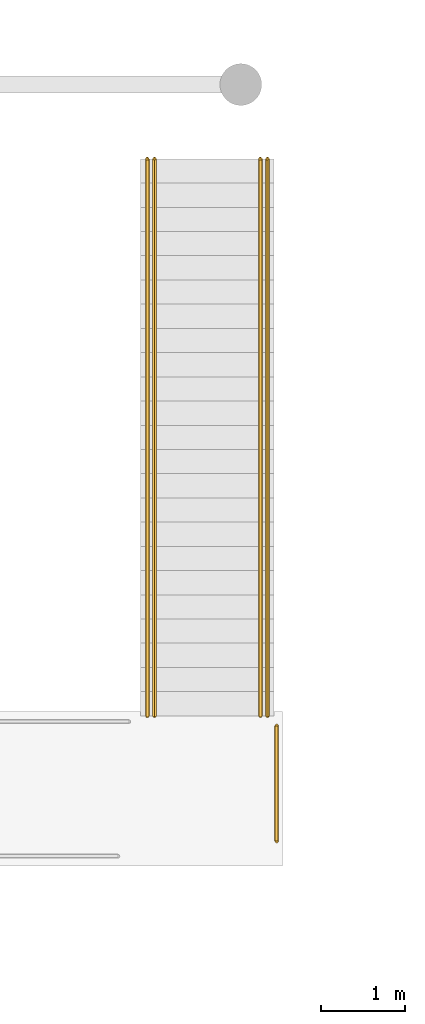
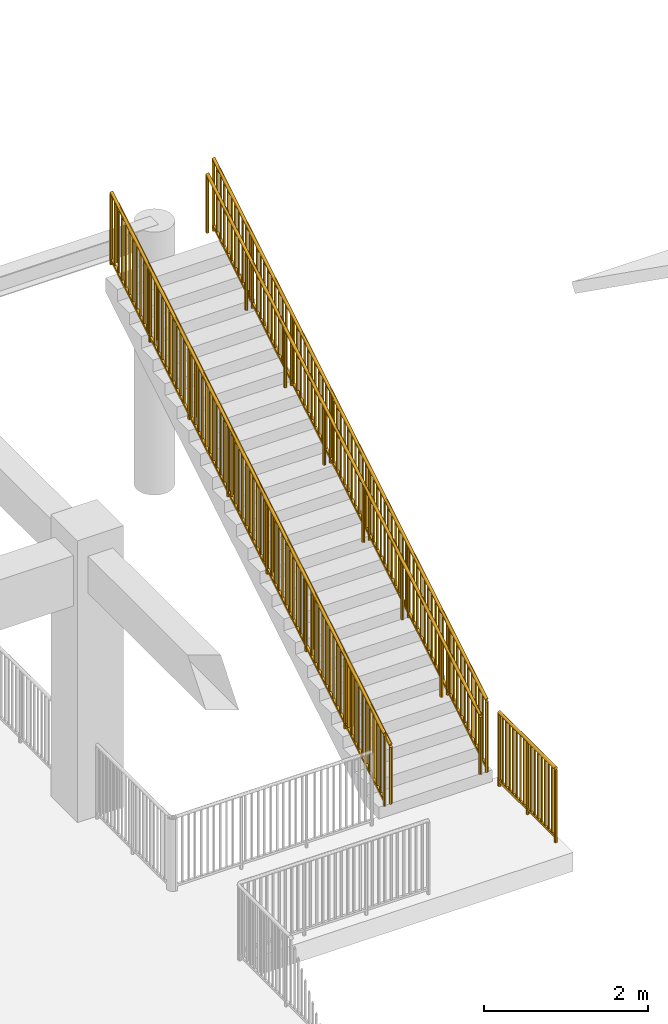
# One storey, part 60 of 63: 5 railings.
"""IFC4 building model written with IfcOpenShell, lengths in metres."""

import ifcopenshell
import ifcopenshell.guid

model = None  # the IFC model being written
_history = None  # IfcOwnerHistory: only IFC2X3 demands one
_inside = {}  # id of a spatial element -> (the spatial element, [elements in it])
_under = {}  # id of a project, library or spatial element -> (it, [spatial elements below it])
_declared = {}  # id of a project -> (the project, [libraries it declares])
_typed = {}  # id of a type object -> (the type object, [elements of that type])
_made_of = {}  # id of a material, layer set ... -> (it, [elements and type objects made of it])


def new_model(schema):
    """Start an empty IFC model of exactly this schema.

    Asked for "IFC4X3", IfcOpenShell would pick the latest addendum, in which some entities
    have other attributes; the version numbers below select the first issue.
    IFC2X3 requires an IfcOwnerHistory on every rooted entity: one is made here for all.
    """
    global model, _history
    if schema == "IFC4X3":
        model = ifcopenshell.file(schema_version=(4, 3, 0, 0))
    else:
        model = ifcopenshell.file(schema=schema)
    _inside.clear()
    _under.clear()
    _declared.clear()
    _typed.clear()
    _made_of.clear()
    _history = None
    if model.schema == "IFC2X3":
        org = make("IfcOrganization", Name="unknown")
        user = make(
            "IfcPersonAndOrganization",
            ThePerson=make("IfcPerson", FamilyName="unknown"),
            TheOrganization=org,
        )
        app = make(
            "IfcApplication",
            ApplicationDeveloper=org,
            Version="unknown",
            ApplicationFullName="unknown",
            ApplicationIdentifier="unknown",
        )
        _history = make(
            "IfcOwnerHistory",
            OwningUser=user,
            OwningApplication=app,
            ChangeAction="ADDED",
            CreationDate=0,
        )
    return model


def make(cls, **values):
    """One entity of the class cls with the attributes given. An attribute that is None is left unset."""
    return model.create_entity(
        cls, **{name: value for name, value in values.items() if value is not None}
    )


def rooted(cls, **values):
    """An entity with a GlobalId (a new one), such as an element, a storey or a relation."""
    return make(cls, GlobalId=ifcopenshell.guid.new(), OwnerHistory=_history, **values)


def si_unit(unit_type, name, prefix=None):
    """IfcSIUnit, for example si_unit("LENGTHUNIT", "METRE", prefix="MILLI")."""
    return make("IfcSIUnit", UnitType=unit_type, Prefix=prefix, Name=name)


def assignment(units):
    """IfcUnitAssignment: the units of a project."""
    return None if units is None else make("IfcUnitAssignment", Units=units)


def point(xyz):
    """IfcCartesianPoint."""
    return None if xyz is None else make("IfcCartesianPoint", Coordinates=xyz)


def direction(xyz):
    """IfcDirection."""
    return None if xyz is None else make("IfcDirection", DirectionRatios=xyz)


def frame(location, z_axis=None, x_axis=None):
    """IfcAxis2Placement3D, a coordinate frame: its origin and axes. An axis left out is left unset."""
    return make(
        "IfcAxis2Placement3D",
        Location=point(location),
        Axis=direction(z_axis),
        RefDirection=direction(x_axis),
    )


def frame_2d(location, x_axis=None):
    """IfcAxis2Placement2D, a coordinate frame in the plane: its origin and x axis."""
    return make(
        "IfcAxis2Placement2D", Location=point(location), RefDirection=direction(x_axis)
    )


def origin():
    """The frame at (0, 0, 0) with its axes left unset."""
    return frame((0.0, 0.0, 0.0))


def origin_2d():
    """The frame at (0, 0) in the plane with its x axis left unset."""
    return frame_2d((0.0, 0.0))


def place(relative_to, where):
    """IfcLocalPlacement: puts the frame where relative to a parent placement (None: the world)."""
    return make(
        "IfcLocalPlacement", PlacementRelTo=relative_to, RelativePlacement=where
    )


def context(
    kind, dimensions, precision=None, world=None, true_north=None, identifier=None
):
    """IfcGeometricRepresentationContext, for example the 3D "Model" context."""
    return make(
        "IfcGeometricRepresentationContext",
        ContextIdentifier=identifier,
        ContextType=kind,
        CoordinateSpaceDimension=dimensions,
        Precision=precision,
        WorldCoordinateSystem=world,
        TrueNorth=true_north,
    )


def subcontext(parent, identifier, kind, view, scale=None):
    """IfcGeometricRepresentationSubContext, for example "Body" below "Model"."""
    return make(
        "IfcGeometricRepresentationSubContext",
        ContextIdentifier=identifier,
        ContextType=kind,
        ParentContext=parent,
        TargetScale=scale,
        TargetView=view,
    )


def project(units=None, contexts=None):
    """IfcProject with its units and contexts."""
    return rooted(
        "IfcProject",
        Name="project",
        RepresentationContexts=contexts,
        UnitsInContext=assignment(units),
    )


def spatial(cls, under=None, at=None, **own):
    """A site, building, storey or space (cls), placed at a placement, below another one or the project."""
    s = rooted(cls, ObjectPlacement=at, **own)
    if under is not None:
        _under.setdefault(under.id(), (under, []))[1].append(s)
    return s


def profile(cls, at=None, kind="AREA", **sizes):
    """A parametric profile (cls). Its sizes go by their IFC names, for example OverallWidth=200.0."""
    return make(cls, ProfileType=kind, Position=at, **sizes)


def rectangle(**sizes):
    """IfcRectangleProfileDef."""
    return profile("IfcRectangleProfileDef", **sizes)


def circle(**sizes):
    """IfcCircleProfileDef."""
    return profile("IfcCircleProfileDef", **sizes)


def extrude(swept, where, along, depth):
    """IfcExtrudedAreaSolid: the profile swept, set in the frame where, extruded along a direction by depth."""
    return make(
        "IfcExtrudedAreaSolid",
        SweptArea=swept,
        Position=where,
        ExtrudedDirection=direction(along),
        Depth=depth,
    )


def shape(context_of_items, identifier, shape_type, items):
    """IfcShapeRepresentation: the items that make up one representation, for example the "Body"."""
    return make(
        "IfcShapeRepresentation",
        ContextOfItems=context_of_items,
        RepresentationIdentifier=identifier,
        RepresentationType=shape_type,
        Items=items,
    )


def material(Name=None, Category=None):
    """IfcMaterial."""
    return make("IfcMaterial", Name=Name, Category=Category)


def made_of(thing, what):
    """Note that an element or type object is made of a material, layer set ...; save() writes the relation."""
    if what is not None:
        _made_of.setdefault(what.id(), (what, []))[1].append(thing)
    return thing


def type_object(cls, material=None, **own):
    """A type object (cls), such as IfcWallType, which elements share."""
    return made_of(rooted(cls, **own), material)


def element(
    cls,
    number,
    at=None,
    inside=None,
    cuts=None,
    type_object=None,
    material=None,
    context=None,
    identifier="Body",
    shape_type=None,
    held_by="IfcProductDefinitionShape",
    body=None,
    shapes=None,
    **own,
):
    """One element of the class cls, such as IfcWall. Its Tag is "e" and its number.

    at: its placement. inside: the storey or other place that contains it. cuts: it is an
    opening in that element (IfcRelVoidsElement). A single representation is given by context,
    identifier, shape_type and body (its items); several are given by shapes. held_by: the class
    of the entity that holds the representations. save() writes the other relations.
    """
    e = rooted(cls, Tag="e%d" % number, ObjectPlacement=at, **own)
    if body is not None:
        shapes = [shape(context, identifier, shape_type, body)]
    if shapes is not None:
        e.Representation = make(held_by, Representations=shapes)
    if inside is not None:
        _inside.setdefault(inside.id(), (inside, []))[1].append(e)
    if cuts is not None:
        rooted(
            "IfcRelVoidsElement", RelatingBuildingElement=cuts, RelatedOpeningElement=e
        )
    if type_object is not None:
        _typed.setdefault(type_object.id(), (type_object, []))[1].append(e)
    return made_of(e, material)


def aggregate(whole, parts):
    """IfcRelAggregates: a whole, such as a stair, and the parts it consists of."""
    return rooted("IfcRelAggregates", RelatingObject=whole, RelatedObjects=parts)


def save(model, path):
    """Write the relations noted so far, then the file.

    IfcRelAggregates (storeys below a building ...), IfcRelContainedInSpatialStructure (elements
    in a storey), IfcRelDefinesByType, IfcRelAssociatesMaterial and IfcRelDeclares: one each for
    every whole, place, type object, material and project.
    """
    for whole, parts in _under.values():
        aggregate(whole, parts)
    for where, things in _inside.values():
        rooted(
            "IfcRelContainedInSpatialStructure",
            RelatedElements=things,
            RelatingStructure=where,
        )
    for kind, things in _typed.values():
        rooted("IfcRelDefinesByType", RelatedObjects=things, RelatingType=kind)
    for what, things in _made_of.values():
        rooted("IfcRelAssociatesMaterial", RelatedObjects=things, RelatingMaterial=what)
    for by, libraries in _declared.values():
        rooted("IfcRelDeclares", RelatingContext=by, RelatedDefinitions=libraries)
    model.write(path)


model = new_model("IFC4")

# Units and contexts
model_context = context("Model", 3, precision=1e-05, world=origin(), true_north=direction((0.0, 1.0)))
body_context = subcontext(model_context, "Body", "Model", "MODEL_VIEW")
ifc_project = project(units=[si_unit("LENGTHUNIT", "METRE"), si_unit("AREAUNIT", "SQUARE_METRE"), si_unit("VOLUMEUNIT", "CUBIC_METRE"), si_unit("PLANEANGLEUNIT", "RADIAN"), si_unit("MASSUNIT", "GRAM", prefix="KILO")], contexts=[model_context])

# Site, building, storey
site_placement = place(None, origin())
site = spatial("IfcSite", under=ifc_project, at=site_placement, CompositionType="ELEMENT")
building_placement = place(site_placement, origin())
building = spatial("IfcBuilding", under=site, at=building_placement, Name="Zantavel Square City Hall", CompositionType="ELEMENT")
storey_placement = place(building_placement, frame((0.0, 0.0, 14.699951171875)))
storey = spatial("IfcBuildingStorey", under=building, at=storey_placement, Name="L04", CompositionType="ELEMENT", Elevation=14.699951171875)

# Railings
ifc_material_1 = material(Name="Steel ASTM A500 Grade B", Category="steel")
railing_type_1 = type_object("IfcRailingType", Name="Classical Stone & Steel Terrace Balustrade 1100mm", PredefinedType="BALUSTRADE", material=ifc_material_1)
railing_1_placement = place(storey_placement, frame((114.97998046875, 51.10009765625, 0.175048828125)))
element("IfcRailing", 1, at=railing_1_placement, inside=storey, type_object=railing_type_1, Name="Outdoor Stair ST-TR2 Balustered Guard L", PredefinedType="BALUSTRADE", context=body_context, shape_type="SweptSolid", body=[
    extrude(circle(Radius=0.02392578125, at=origin_2d()), frame((0.0, 0.0, 1.076171875), z_axis=(0.0, 0.856190529329, 0.516660214733), x_axis=(-1.0, 0.0, 0.0)), (0.0, 0.0, 1.0), 7.790283203125),
    extrude(rectangle(XDim=0.031982421875, YDim=0.031982421875, at=origin_2d()), frame((0.0, 0.0, 0.080078125), z_axis=(0.0, 0.856190529329, 0.516660214733), x_axis=(-1.0, 0.0, 0.0)), (0.0, 0.0, 1.0), 7.790283203125),
    extrude(rectangle(XDim=0.02197265625, YDim=0.02197265625, at=origin_2d()), frame((0.0, 0.0888671875, 0.133544921875)), (0.0, 0.0, 1.0), 0.971923828125),
    extrude(rectangle(XDim=0.02197265625, YDim=0.02197265625, at=origin_2d()), frame((0.0, 0.177978515625, 0.187255859375)), (0.0, 0.0, 1.0), 0.971923828125),
    extrude(rectangle(XDim=0.02197265625, YDim=0.02197265625, at=origin_2d()), frame((0.0, 0.266845703125, 0.240966796875)), (0.0, 0.0, 1.0), 0.971923828125),
    extrude(rectangle(XDim=0.02197265625, YDim=0.02197265625, at=origin_2d()), frame((0.0, 0.355712890625, 0.294677734375)), (0.0, 0.0, 1.0), 0.971923828125),
    extrude(rectangle(XDim=0.02197265625, YDim=0.02197265625, at=origin_2d()), frame((0.0, 0.444580078125, 0.348388671875)), (0.0, 0.0, 1.0), 0.971923828125),
    extrude(rectangle(XDim=0.02197265625, YDim=0.02197265625, at=origin_2d()), frame((0.0, 0.53369140625, 0.402099609375)), (0.0, 0.0, 1.0), 0.971923828125),
    extrude(rectangle(XDim=0.02197265625, YDim=0.02197265625, at=origin_2d()), frame((0.0, 0.62255859375, 0.45556640625)), (0.0, 0.0, 1.0), 0.971923828125),
    extrude(rectangle(XDim=0.02197265625, YDim=0.02197265625, at=origin_2d()), frame((0.0, 0.71142578125, 0.50927734375)), (0.0, 0.0, 1.0), 0.971923828125),
    extrude(rectangle(XDim=0.02197265625, YDim=0.02197265625, at=origin_2d()), frame((0.0, 0.80029296875, 0.56298828125)), (0.0, 0.0, 1.0), 0.971923828125),
    extrude(rectangle(XDim=0.02197265625, YDim=0.02197265625, at=origin_2d()), frame((0.0, 0.889404296875, 0.61669921875)), (0.0, 0.0, 1.0), 0.971923828125),
    extrude(rectangle(XDim=0.02197265625, YDim=0.02197265625, at=origin_2d()), frame((0.0, 1.067138671875, 0.723876953125)), (0.0, 0.0, 1.0), 0.971923828125),
    extrude(rectangle(XDim=0.02197265625, YDim=0.02197265625, at=origin_2d()), frame((0.0, 1.156005859375, 0.777587890625)), (0.0, 0.0, 1.0), 0.971923828125),
    extrude(rectangle(XDim=0.02197265625, YDim=0.02197265625, at=origin_2d()), frame((0.0, 1.2451171875, 0.831298828125)), (0.0, 0.0, 1.0), 0.971923828125),
    extrude(rectangle(XDim=0.02197265625, YDim=0.02197265625, at=origin_2d()), frame((0.0, 1.333984375, 0.885009765625)), (0.0, 0.0, 1.0), 0.971923828125),
    extrude(rectangle(XDim=0.02197265625, YDim=0.02197265625, at=origin_2d()), frame((0.0, 1.4228515625, 0.938720703125)), (0.0, 0.0, 1.0), 0.971923828125),
    extrude(rectangle(XDim=0.02197265625, YDim=0.02197265625, at=origin_2d()), frame((0.0, 1.511962890625, 0.992431640625)), (0.0, 0.0, 1.0), 0.971923828125),
    extrude(rectangle(XDim=0.02197265625, YDim=0.02197265625, at=origin_2d()), frame((0.0, 1.600830078125, 1.0458984375)), (0.0, 0.0, 1.0), 0.971923828125),
    extrude(rectangle(XDim=0.02197265625, YDim=0.02197265625, at=origin_2d()), frame((0.0, 1.689697265625, 1.099609375)), (0.0, 0.0, 1.0), 0.971923828125),
    extrude(rectangle(XDim=0.02197265625, YDim=0.02197265625, at=origin_2d()), frame((0.0, 1.778564453125, 1.1533203125)), (0.0, 0.0, 1.0), 0.971923828125),
    extrude(rectangle(XDim=0.02197265625, YDim=0.02197265625, at=origin_2d()), frame((0.0, 1.95654296875, 1.2607421875)), (0.0, 0.0, 1.0), 0.971923828125),
    extrude(rectangle(XDim=0.02197265625, YDim=0.02197265625, at=origin_2d()), frame((0.0, 2.04541015625, 1.314208984375)), (0.0, 0.0, 1.0), 0.971923828125),
    extrude(rectangle(XDim=0.02197265625, YDim=0.02197265625, at=origin_2d()), frame((0.0, 2.13427734375, 1.367919921875)), (0.0, 0.0, 1.0), 0.971923828125),
    extrude(rectangle(XDim=0.02197265625, YDim=0.02197265625, at=origin_2d()), frame((0.0, 2.223388671875, 1.421630859375)), (0.0, 0.0, 1.0), 0.971923828125),
    extrude(rectangle(XDim=0.02197265625, YDim=0.02197265625, at=origin_2d()), frame((0.0, 2.312255859375, 1.475341796875)), (0.0, 0.0, 1.0), 0.971923828125),
    extrude(rectangle(XDim=0.02197265625, YDim=0.02197265625, at=origin_2d()), frame((0.0, 2.401123046875, 1.529052734375)), (0.0, 0.0, 1.0), 0.971923828125),
    extrude(rectangle(XDim=0.02197265625, YDim=0.02197265625, at=origin_2d()), frame((0.0, 2.489990234375, 1.58251953125)), (0.0, 0.0, 1.0), 0.971923828125),
    extrude(rectangle(XDim=0.02197265625, YDim=0.02197265625, at=origin_2d()), frame((0.0, 2.5791015625, 1.63623046875)), (0.0, 0.0, 1.0), 0.971923828125),
    extrude(rectangle(XDim=0.02197265625, YDim=0.02197265625, at=origin_2d()), frame((0.0, 2.66796875, 1.68994140625)), (0.0, 0.0, 1.0), 0.971923828125),
    extrude(rectangle(XDim=0.02197265625, YDim=0.02197265625, at=origin_2d()), frame((0.0, 2.7568359375, 1.74365234375)), (0.0, 0.0, 1.0), 0.971923828125),
    extrude(rectangle(XDim=0.02197265625, YDim=0.02197265625, at=origin_2d()), frame((0.0, 2.934814453125, 1.85107421875)), (0.0, 0.0, 1.0), 0.971923828125),
    extrude(rectangle(XDim=0.02197265625, YDim=0.02197265625, at=origin_2d()), frame((0.0, 3.023681640625, 1.904541015625)), (0.0, 0.0, 1.0), 0.971923828125),
    extrude(rectangle(XDim=0.02197265625, YDim=0.02197265625, at=origin_2d()), frame((0.0, 3.112548828125, 1.958251953125)), (0.0, 0.0, 1.0), 0.971923828125),
    extrude(rectangle(XDim=0.02197265625, YDim=0.02197265625, at=origin_2d()), frame((0.0, 3.20166015625, 2.011962890625)), (0.0, 0.0, 1.0), 0.971923828125),
    extrude(rectangle(XDim=0.02197265625, YDim=0.02197265625, at=origin_2d()), frame((0.0, 3.29052734375, 2.065673828125)), (0.0, 0.0, 1.0), 0.971923828125),
    extrude(rectangle(XDim=0.02197265625, YDim=0.02197265625, at=origin_2d()), frame((0.0, 3.37939453125, 2.119384765625)), (0.0, 0.0, 1.0), 0.971923828125),
    extrude(rectangle(XDim=0.02197265625, YDim=0.02197265625, at=origin_2d()), frame((0.0, 3.46826171875, 2.1728515625)), (0.0, 0.0, 1.0), 0.971923828125),
    extrude(rectangle(XDim=0.02197265625, YDim=0.02197265625, at=origin_2d()), frame((0.0, 3.557373046875, 2.2265625)), (0.0, 0.0, 1.0), 0.971923828125),
    extrude(rectangle(XDim=0.02197265625, YDim=0.02197265625, at=origin_2d()), frame((0.0, 3.646240234375, 2.2802734375)), (0.0, 0.0, 1.0), 0.971923828125),
    extrude(rectangle(XDim=0.02197265625, YDim=0.02197265625, at=origin_2d()), frame((0.0, 3.735107421875, 2.333984375)), (0.0, 0.0, 1.0), 0.971923828125),
    extrude(rectangle(XDim=0.02197265625, YDim=0.02197265625, at=origin_2d()), frame((0.0, 3.9130859375, 2.441162109375)), (0.0, 0.0, 1.0), 0.971923828125),
    extrude(rectangle(XDim=0.02197265625, YDim=0.02197265625, at=origin_2d()), frame((0.0, 4.001953125, 2.494873046875)), (0.0, 0.0, 1.0), 0.971923828125),
    extrude(rectangle(XDim=0.02197265625, YDim=0.02197265625, at=origin_2d()), frame((0.0, 4.0908203125, 2.548583984375)), (0.0, 0.0, 1.0), 0.971923828125),
    extrude(rectangle(XDim=0.02197265625, YDim=0.02197265625, at=origin_2d()), frame((0.0, 4.179931640625, 2.602294921875)), (0.0, 0.0, 1.0), 0.971923828125),
    extrude(rectangle(XDim=0.02197265625, YDim=0.02197265625, at=origin_2d()), frame((0.0, 4.268798828125, 2.656005859375)), (0.0, 0.0, 1.0), 0.971923828125),
    extrude(rectangle(XDim=0.02197265625, YDim=0.02197265625, at=origin_2d()), frame((0.0, 4.357666015625, 2.709716796875)), (0.0, 0.0, 1.0), 0.971923828125),
    extrude(rectangle(XDim=0.02197265625, YDim=0.02197265625, at=origin_2d()), frame((0.0, 4.446533203125, 2.76318359375)), (0.0, 0.0, 1.0), 0.971923828125),
    extrude(rectangle(XDim=0.02197265625, YDim=0.02197265625, at=origin_2d()), frame((0.0, 4.53564453125, 2.81689453125)), (0.0, 0.0, 1.0), 0.971923828125),
    extrude(rectangle(XDim=0.02197265625, YDim=0.02197265625, at=origin_2d()), frame((0.0, 4.62451171875, 2.87060546875)), (0.0, 0.0, 1.0), 0.971923828125),
    extrude(rectangle(XDim=0.02197265625, YDim=0.02197265625, at=origin_2d()), frame((0.0, 4.71337890625, 2.92431640625)), (0.0, 0.0, 1.0), 0.971923828125),
    extrude(rectangle(XDim=0.02197265625, YDim=0.02197265625, at=origin_2d()), frame((0.0, 4.891357421875, 3.031494140625)), (0.0, 0.0, 1.0), 0.971923828125),
    extrude(rectangle(XDim=0.02197265625, YDim=0.02197265625, at=origin_2d()), frame((0.0, 4.980224609375, 3.085205078125)), (0.0, 0.0, 1.0), 0.971923828125),
    extrude(rectangle(XDim=0.02197265625, YDim=0.02197265625, at=origin_2d()), frame((0.0, 5.069091796875, 3.138916015625)), (0.0, 0.0, 1.0), 0.971923828125),
    extrude(rectangle(XDim=0.02197265625, YDim=0.02197265625, at=origin_2d()), frame((0.0, 5.157958984375, 3.192626953125)), (0.0, 0.0, 1.0), 0.971923828125),
    extrude(rectangle(XDim=0.02197265625, YDim=0.02197265625, at=origin_2d()), frame((0.0, 5.2470703125, 3.246337890625)), (0.0, 0.0, 1.0), 0.971923828125),
    extrude(rectangle(XDim=0.02197265625, YDim=0.02197265625, at=origin_2d()), frame((0.0, 5.3359375, 3.2998046875)), (0.0, 0.0, 1.0), 0.971923828125),
    extrude(rectangle(XDim=0.02197265625, YDim=0.02197265625, at=origin_2d()), frame((0.0, 5.4248046875, 3.353515625)), (0.0, 0.0, 1.0), 0.971923828125),
    extrude(rectangle(XDim=0.02197265625, YDim=0.02197265625, at=origin_2d()), frame((0.0, 5.513916015625, 3.4072265625)), (0.0, 0.0, 1.0), 0.971923828125),
    extrude(rectangle(XDim=0.02197265625, YDim=0.02197265625, at=origin_2d()), frame((0.0, 5.602783203125, 3.4609375)), (0.0, 0.0, 1.0), 0.971923828125),
    extrude(rectangle(XDim=0.02197265625, YDim=0.02197265625, at=origin_2d()), frame((0.0, 5.780517578125, 3.568359375)), (0.0, 0.0, 1.0), 0.971923828125),
    extrude(rectangle(XDim=0.02197265625, YDim=0.02197265625, at=origin_2d()), frame((0.0, 5.86962890625, 3.621826171875)), (0.0, 0.0, 1.0), 0.971923828125),
    extrude(rectangle(XDim=0.02197265625, YDim=0.02197265625, at=origin_2d()), frame((0.0, 5.95849609375, 3.675537109375)), (0.0, 0.0, 1.0), 0.971923828125),
    extrude(rectangle(XDim=0.02197265625, YDim=0.02197265625, at=origin_2d()), frame((0.0, 6.04736328125, 3.729248046875)), (0.0, 0.0, 1.0), 0.971923828125),
    extrude(rectangle(XDim=0.02197265625, YDim=0.02197265625, at=origin_2d()), frame((0.0, 6.13623046875, 3.782958984375)), (0.0, 0.0, 1.0), 0.971923828125),
    extrude(rectangle(XDim=0.02197265625, YDim=0.02197265625, at=origin_2d()), frame((0.0, 6.225341796875, 3.836669921875)), (0.0, 0.0, 1.0), 0.971923828125),
    extrude(rectangle(XDim=0.02197265625, YDim=0.02197265625, at=origin_2d()), frame((0.0, 6.314208984375, 3.89013671875)), (0.0, 0.0, 1.0), 0.971923828125),
    extrude(rectangle(XDim=0.02197265625, YDim=0.02197265625, at=origin_2d()), frame((0.0, 6.403076171875, 3.94384765625)), (0.0, 0.0, 1.0), 0.971923828125),
    extrude(rectangle(XDim=0.02197265625, YDim=0.02197265625, at=origin_2d()), frame((0.0, 6.491943359375, 3.99755859375)), (0.0, 0.0, 1.0), 0.971923828125),
    extrude(rectangle(XDim=0.02197265625, YDim=0.02197265625, at=origin_2d()), frame((0.0, 6.5810546875, 4.05126953125)), (0.0, 0.0, 1.0), 0.971923828125),
    extrude(circle(Radius=0.02099609375, at=origin_2d()), origin(), (0.0, 0.0, 1.0), 1.052001953125),
    extrude(circle(Radius=0.02099609375, at=origin_2d()), frame((0.0, 0.952880859375, 0.574951171875)), (0.0, 0.0, 1.0), 1.052001953125),
    extrude(circle(Radius=0.02099609375, at=origin_2d()), frame((0.0, 1.90576171875, 1.14990234375)), (0.0, 0.0, 1.0), 1.052001953125),
    extrude(circle(Radius=0.02099609375, at=origin_2d()), frame((0.0, 2.858642578125, 1.724853515625)), (0.0, 0.0, 1.0), 1.052001953125),
    extrude(circle(Radius=0.02099609375, at=origin_2d()), frame((0.0, 3.811279296875, 2.300048828125)), (0.0, 0.0, 1.0), 1.052001953125),
    extrude(circle(Radius=0.02099609375, at=origin_2d()), frame((0.0, 4.76416015625, 2.875)), (0.0, 0.0, 1.0), 1.052001953125),
    extrude(circle(Radius=0.02099609375, at=origin_2d()), frame((0.0, 5.717041015625, 3.449951171875)), (0.0, 0.0, 1.0), 1.052001953125),
    extrude(circle(Radius=0.02099609375, at=origin_2d()), frame((0.0, 6.669921875, 4.02490234375)), (0.0, 0.0, 1.0), 1.052001953125),
])
railing_2_placement = place(storey_placement, frame((116.419921875, 51.10009765625, 0.175048828125)))
element("IfcRailing", 2, at=railing_2_placement, inside=storey, type_object=railing_type_1, Name="Outdoor Stair ST-TR2 Balustered Guard R", PredefinedType="BALUSTRADE", context=body_context, shape_type="SweptSolid", body=[
    extrude(circle(Radius=0.02392578125, at=origin_2d()), frame((0.0, 0.0, 1.076171875), z_axis=(0.0, 0.856190529329, 0.516660214733), x_axis=(-1.0, 0.0, 0.0)), (0.0, 0.0, 1.0), 7.790283203125),
    extrude(rectangle(XDim=0.031982421875, YDim=0.031982421875, at=origin_2d()), frame((0.0, 0.0, 0.080078125), z_axis=(0.0, 0.856190529329, 0.516660214733), x_axis=(-1.0, 0.0, 0.0)), (0.0, 0.0, 1.0), 7.790283203125),
    extrude(rectangle(XDim=0.02197265625, YDim=0.02197265625, at=origin_2d()), frame((0.0, 0.0888671875, 0.133544921875)), (0.0, 0.0, 1.0), 0.971923828125),
    extrude(rectangle(XDim=0.02197265625, YDim=0.02197265625, at=origin_2d()), frame((0.0, 0.177978515625, 0.187255859375)), (0.0, 0.0, 1.0), 0.971923828125),
    extrude(rectangle(XDim=0.02197265625, YDim=0.02197265625, at=origin_2d()), frame((0.0, 0.266845703125, 0.240966796875)), (0.0, 0.0, 1.0), 0.971923828125),
    extrude(rectangle(XDim=0.02197265625, YDim=0.02197265625, at=origin_2d()), frame((0.0, 0.355712890625, 0.294677734375)), (0.0, 0.0, 1.0), 0.971923828125),
    extrude(rectangle(XDim=0.02197265625, YDim=0.02197265625, at=origin_2d()), frame((0.0, 0.444580078125, 0.348388671875)), (0.0, 0.0, 1.0), 0.971923828125),
    extrude(rectangle(XDim=0.02197265625, YDim=0.02197265625, at=origin_2d()), frame((0.0, 0.53369140625, 0.402099609375)), (0.0, 0.0, 1.0), 0.971923828125),
    extrude(rectangle(XDim=0.02197265625, YDim=0.02197265625, at=origin_2d()), frame((0.0, 0.62255859375, 0.45556640625)), (0.0, 0.0, 1.0), 0.971923828125),
    extrude(rectangle(XDim=0.02197265625, YDim=0.02197265625, at=origin_2d()), frame((0.0, 0.71142578125, 0.50927734375)), (0.0, 0.0, 1.0), 0.971923828125),
    extrude(rectangle(XDim=0.02197265625, YDim=0.02197265625, at=origin_2d()), frame((0.0, 0.80029296875, 0.56298828125)), (0.0, 0.0, 1.0), 0.971923828125),
    extrude(rectangle(XDim=0.02197265625, YDim=0.02197265625, at=origin_2d()), frame((0.0, 0.889404296875, 0.61669921875)), (0.0, 0.0, 1.0), 0.971923828125),
    extrude(rectangle(XDim=0.02197265625, YDim=0.02197265625, at=origin_2d()), frame((0.0, 1.067138671875, 0.723876953125)), (0.0, 0.0, 1.0), 0.971923828125),
    extrude(rectangle(XDim=0.02197265625, YDim=0.02197265625, at=origin_2d()), frame((0.0, 1.156005859375, 0.777587890625)), (0.0, 0.0, 1.0), 0.971923828125),
    extrude(rectangle(XDim=0.02197265625, YDim=0.02197265625, at=origin_2d()), frame((0.0, 1.2451171875, 0.831298828125)), (0.0, 0.0, 1.0), 0.971923828125),
    extrude(rectangle(XDim=0.02197265625, YDim=0.02197265625, at=origin_2d()), frame((0.0, 1.333984375, 0.885009765625)), (0.0, 0.0, 1.0), 0.971923828125),
    extrude(rectangle(XDim=0.02197265625, YDim=0.02197265625, at=origin_2d()), frame((0.0, 1.4228515625, 0.938720703125)), (0.0, 0.0, 1.0), 0.971923828125),
    extrude(rectangle(XDim=0.02197265625, YDim=0.02197265625, at=origin_2d()), frame((0.0, 1.511962890625, 0.992431640625)), (0.0, 0.0, 1.0), 0.971923828125),
    extrude(rectangle(XDim=0.02197265625, YDim=0.02197265625, at=origin_2d()), frame((0.0, 1.600830078125, 1.0458984375)), (0.0, 0.0, 1.0), 0.971923828125),
    extrude(rectangle(XDim=0.02197265625, YDim=0.02197265625, at=origin_2d()), frame((0.0, 1.689697265625, 1.099609375)), (0.0, 0.0, 1.0), 0.971923828125),
    extrude(rectangle(XDim=0.02197265625, YDim=0.02197265625, at=origin_2d()), frame((0.0, 1.778564453125, 1.1533203125)), (0.0, 0.0, 1.0), 0.971923828125),
    extrude(rectangle(XDim=0.02197265625, YDim=0.02197265625, at=origin_2d()), frame((0.0, 1.95654296875, 1.2607421875)), (0.0, 0.0, 1.0), 0.971923828125),
    extrude(rectangle(XDim=0.02197265625, YDim=0.02197265625, at=origin_2d()), frame((0.0, 2.04541015625, 1.314208984375)), (0.0, 0.0, 1.0), 0.971923828125),
    extrude(rectangle(XDim=0.02197265625, YDim=0.02197265625, at=origin_2d()), frame((0.0, 2.13427734375, 1.367919921875)), (0.0, 0.0, 1.0), 0.971923828125),
    extrude(rectangle(XDim=0.02197265625, YDim=0.02197265625, at=origin_2d()), frame((0.0, 2.223388671875, 1.421630859375)), (0.0, 0.0, 1.0), 0.971923828125),
    extrude(rectangle(XDim=0.02197265625, YDim=0.02197265625, at=origin_2d()), frame((0.0, 2.312255859375, 1.475341796875)), (0.0, 0.0, 1.0), 0.971923828125),
    extrude(rectangle(XDim=0.02197265625, YDim=0.02197265625, at=origin_2d()), frame((0.0, 2.401123046875, 1.529052734375)), (0.0, 0.0, 1.0), 0.971923828125),
    extrude(rectangle(XDim=0.02197265625, YDim=0.02197265625, at=origin_2d()), frame((0.0, 2.489990234375, 1.58251953125)), (0.0, 0.0, 1.0), 0.971923828125),
    extrude(rectangle(XDim=0.02197265625, YDim=0.02197265625, at=origin_2d()), frame((0.0, 2.5791015625, 1.63623046875)), (0.0, 0.0, 1.0), 0.971923828125),
    extrude(rectangle(XDim=0.02197265625, YDim=0.02197265625, at=origin_2d()), frame((0.0, 2.66796875, 1.68994140625)), (0.0, 0.0, 1.0), 0.971923828125),
    extrude(rectangle(XDim=0.02197265625, YDim=0.02197265625, at=origin_2d()), frame((0.0, 2.7568359375, 1.74365234375)), (0.0, 0.0, 1.0), 0.971923828125),
    extrude(rectangle(XDim=0.02197265625, YDim=0.02197265625, at=origin_2d()), frame((0.0, 2.934814453125, 1.85107421875)), (0.0, 0.0, 1.0), 0.971923828125),
    extrude(rectangle(XDim=0.02197265625, YDim=0.02197265625, at=origin_2d()), frame((0.0, 3.023681640625, 1.904541015625)), (0.0, 0.0, 1.0), 0.971923828125),
    extrude(rectangle(XDim=0.02197265625, YDim=0.02197265625, at=origin_2d()), frame((0.0, 3.112548828125, 1.958251953125)), (0.0, 0.0, 1.0), 0.971923828125),
    extrude(rectangle(XDim=0.02197265625, YDim=0.02197265625, at=origin_2d()), frame((0.0, 3.20166015625, 2.011962890625)), (0.0, 0.0, 1.0), 0.971923828125),
    extrude(rectangle(XDim=0.02197265625, YDim=0.02197265625, at=origin_2d()), frame((0.0, 3.29052734375, 2.065673828125)), (0.0, 0.0, 1.0), 0.971923828125),
    extrude(rectangle(XDim=0.02197265625, YDim=0.02197265625, at=origin_2d()), frame((0.0, 3.37939453125, 2.119384765625)), (0.0, 0.0, 1.0), 0.971923828125),
    extrude(rectangle(XDim=0.02197265625, YDim=0.02197265625, at=origin_2d()), frame((0.0, 3.46826171875, 2.1728515625)), (0.0, 0.0, 1.0), 0.971923828125),
    extrude(rectangle(XDim=0.02197265625, YDim=0.02197265625, at=origin_2d()), frame((0.0, 3.557373046875, 2.2265625)), (0.0, 0.0, 1.0), 0.971923828125),
    extrude(rectangle(XDim=0.02197265625, YDim=0.02197265625, at=origin_2d()), frame((0.0, 3.646240234375, 2.2802734375)), (0.0, 0.0, 1.0), 0.971923828125),
    extrude(rectangle(XDim=0.02197265625, YDim=0.02197265625, at=origin_2d()), frame((0.0, 3.735107421875, 2.333984375)), (0.0, 0.0, 1.0), 0.971923828125),
    extrude(rectangle(XDim=0.02197265625, YDim=0.02197265625, at=origin_2d()), frame((0.0, 3.9130859375, 2.441162109375)), (0.0, 0.0, 1.0), 0.971923828125),
    extrude(rectangle(XDim=0.02197265625, YDim=0.02197265625, at=origin_2d()), frame((0.0, 4.001953125, 2.494873046875)), (0.0, 0.0, 1.0), 0.971923828125),
    extrude(rectangle(XDim=0.02197265625, YDim=0.02197265625, at=origin_2d()), frame((0.0, 4.0908203125, 2.548583984375)), (0.0, 0.0, 1.0), 0.971923828125),
    extrude(rectangle(XDim=0.02197265625, YDim=0.02197265625, at=origin_2d()), frame((0.0, 4.179931640625, 2.602294921875)), (0.0, 0.0, 1.0), 0.971923828125),
    extrude(rectangle(XDim=0.02197265625, YDim=0.02197265625, at=origin_2d()), frame((0.0, 4.268798828125, 2.656005859375)), (0.0, 0.0, 1.0), 0.971923828125),
    extrude(rectangle(XDim=0.02197265625, YDim=0.02197265625, at=origin_2d()), frame((0.0, 4.357666015625, 2.709716796875)), (0.0, 0.0, 1.0), 0.971923828125),
    extrude(rectangle(XDim=0.02197265625, YDim=0.02197265625, at=origin_2d()), frame((0.0, 4.446533203125, 2.76318359375)), (0.0, 0.0, 1.0), 0.971923828125),
    extrude(rectangle(XDim=0.02197265625, YDim=0.02197265625, at=origin_2d()), frame((0.0, 4.53564453125, 2.81689453125)), (0.0, 0.0, 1.0), 0.971923828125),
    extrude(rectangle(XDim=0.02197265625, YDim=0.02197265625, at=origin_2d()), frame((0.0, 4.62451171875, 2.87060546875)), (0.0, 0.0, 1.0), 0.971923828125),
    extrude(rectangle(XDim=0.02197265625, YDim=0.02197265625, at=origin_2d()), frame((0.0, 4.71337890625, 2.92431640625)), (0.0, 0.0, 1.0), 0.971923828125),
    extrude(rectangle(XDim=0.02197265625, YDim=0.02197265625, at=origin_2d()), frame((0.0, 4.891357421875, 3.031494140625)), (0.0, 0.0, 1.0), 0.971923828125),
    extrude(rectangle(XDim=0.02197265625, YDim=0.02197265625, at=origin_2d()), frame((0.0, 4.980224609375, 3.085205078125)), (0.0, 0.0, 1.0), 0.971923828125),
    extrude(rectangle(XDim=0.02197265625, YDim=0.02197265625, at=origin_2d()), frame((0.0, 5.069091796875, 3.138916015625)), (0.0, 0.0, 1.0), 0.971923828125),
    extrude(rectangle(XDim=0.02197265625, YDim=0.02197265625, at=origin_2d()), frame((0.0, 5.157958984375, 3.192626953125)), (0.0, 0.0, 1.0), 0.971923828125),
    extrude(rectangle(XDim=0.02197265625, YDim=0.02197265625, at=origin_2d()), frame((0.0, 5.2470703125, 3.246337890625)), (0.0, 0.0, 1.0), 0.971923828125),
    extrude(rectangle(XDim=0.02197265625, YDim=0.02197265625, at=origin_2d()), frame((0.0, 5.3359375, 3.2998046875)), (0.0, 0.0, 1.0), 0.971923828125),
    extrude(rectangle(XDim=0.02197265625, YDim=0.02197265625, at=origin_2d()), frame((0.0, 5.4248046875, 3.353515625)), (0.0, 0.0, 1.0), 0.971923828125),
    extrude(rectangle(XDim=0.02197265625, YDim=0.02197265625, at=origin_2d()), frame((0.0, 5.513916015625, 3.4072265625)), (0.0, 0.0, 1.0), 0.971923828125),
    extrude(rectangle(XDim=0.02197265625, YDim=0.02197265625, at=origin_2d()), frame((0.0, 5.602783203125, 3.4609375)), (0.0, 0.0, 1.0), 0.971923828125),
    extrude(rectangle(XDim=0.02197265625, YDim=0.02197265625, at=origin_2d()), frame((0.0, 5.780517578125, 3.568359375)), (0.0, 0.0, 1.0), 0.971923828125),
    extrude(rectangle(XDim=0.02197265625, YDim=0.02197265625, at=origin_2d()), frame((0.0, 5.86962890625, 3.621826171875)), (0.0, 0.0, 1.0), 0.971923828125),
    extrude(rectangle(XDim=0.02197265625, YDim=0.02197265625, at=origin_2d()), frame((0.0, 5.95849609375, 3.675537109375)), (0.0, 0.0, 1.0), 0.971923828125),
    extrude(rectangle(XDim=0.02197265625, YDim=0.02197265625, at=origin_2d()), frame((0.0, 6.04736328125, 3.729248046875)), (0.0, 0.0, 1.0), 0.971923828125),
    extrude(rectangle(XDim=0.02197265625, YDim=0.02197265625, at=origin_2d()), frame((0.0, 6.13623046875, 3.782958984375)), (0.0, 0.0, 1.0), 0.971923828125),
    extrude(rectangle(XDim=0.02197265625, YDim=0.02197265625, at=origin_2d()), frame((0.0, 6.225341796875, 3.836669921875)), (0.0, 0.0, 1.0), 0.971923828125),
    extrude(rectangle(XDim=0.02197265625, YDim=0.02197265625, at=origin_2d()), frame((0.0, 6.314208984375, 3.89013671875)), (0.0, 0.0, 1.0), 0.971923828125),
    extrude(rectangle(XDim=0.02197265625, YDim=0.02197265625, at=origin_2d()), frame((0.0, 6.403076171875, 3.94384765625)), (0.0, 0.0, 1.0), 0.971923828125),
    extrude(rectangle(XDim=0.02197265625, YDim=0.02197265625, at=origin_2d()), frame((0.0, 6.491943359375, 3.99755859375)), (0.0, 0.0, 1.0), 0.971923828125),
    extrude(rectangle(XDim=0.02197265625, YDim=0.02197265625, at=origin_2d()), frame((0.0, 6.5810546875, 4.05126953125)), (0.0, 0.0, 1.0), 0.971923828125),
    extrude(circle(Radius=0.02099609375, at=origin_2d()), origin(), (0.0, 0.0, 1.0), 1.052001953125),
    extrude(circle(Radius=0.02099609375, at=origin_2d()), frame((0.0, 0.952880859375, 0.574951171875)), (0.0, 0.0, 1.0), 1.052001953125),
    extrude(circle(Radius=0.02099609375, at=origin_2d()), frame((0.0, 1.90576171875, 1.14990234375)), (0.0, 0.0, 1.0), 1.052001953125),
    extrude(circle(Radius=0.02099609375, at=origin_2d()), frame((0.0, 2.858642578125, 1.724853515625)), (0.0, 0.0, 1.0), 1.052001953125),
    extrude(circle(Radius=0.02099609375, at=origin_2d()), frame((0.0, 3.811279296875, 2.300048828125)), (0.0, 0.0, 1.0), 1.052001953125),
    extrude(circle(Radius=0.02099609375, at=origin_2d()), frame((0.0, 4.76416015625, 2.875)), (0.0, 0.0, 1.0), 1.052001953125),
    extrude(circle(Radius=0.02099609375, at=origin_2d()), frame((0.0, 5.717041015625, 3.449951171875)), (0.0, 0.0, 1.0), 1.052001953125),
    extrude(circle(Radius=0.02099609375, at=origin_2d()), frame((0.0, 6.669921875, 4.02490234375)), (0.0, 0.0, 1.0), 1.052001953125),
])
railing_3_placement = place(storey_placement, frame((116.530029296875, 50.97998046875, 0.0)))
element("IfcRailing", 3, at=railing_3_placement, inside=storey, type_object=railing_type_1, Name="L04 Terrace Balustrade 047", PredefinedType="BALUSTRADE", context=body_context, shape_type="SweptSolid", body=[
    extrude(circle(Radius=0.02392578125, at=origin_2d()), frame((0.0, 0.0, 1.09619140625), z_axis=(0.0, -1.0, 0.0), x_axis=(1.0, 0.0, 0.0)), (0.0, 0.0, 1.0), 1.3798828125),
    extrude(rectangle(XDim=0.031982421875, YDim=0.031982421875, at=origin_2d()), frame((0.0, 0.0, 0.080078125), z_axis=(0.0, -1.0, 0.0), x_axis=(1.0, 0.0, 0.0)), (0.0, 0.0, 1.0), 1.3798828125),
    extrude(rectangle(XDim=0.02197265625, YDim=0.02197265625, at=origin_2d()), frame((0.0, -0.086181640625, 0.080078125)), (0.0, 0.0, 1.0), 0.991943359375),
    extrude(rectangle(XDim=0.02197265625, YDim=0.02197265625, at=origin_2d()), frame((0.0, -0.17236328125, 0.080078125)), (0.0, 0.0, 1.0), 0.991943359375),
    extrude(rectangle(XDim=0.02197265625, YDim=0.02197265625, at=origin_2d()), frame((0.0, -0.2587890625, 0.080078125)), (0.0, 0.0, 1.0), 0.991943359375),
    extrude(rectangle(XDim=0.02197265625, YDim=0.02197265625, at=origin_2d()), frame((0.0, -0.344970703125, 0.080078125)), (0.0, 0.0, 1.0), 0.991943359375),
    extrude(rectangle(XDim=0.02197265625, YDim=0.02197265625, at=origin_2d()), frame((0.0, -0.43115234375, 0.080078125)), (0.0, 0.0, 1.0), 0.991943359375),
    extrude(rectangle(XDim=0.02197265625, YDim=0.02197265625, at=origin_2d()), frame((0.0, -0.517578125, 0.080078125)), (0.0, 0.0, 1.0), 0.991943359375),
    extrude(rectangle(XDim=0.02197265625, YDim=0.02197265625, at=origin_2d()), frame((0.0, -0.603759765625, 0.080078125)), (0.0, 0.0, 1.0), 0.991943359375),
    extrude(rectangle(XDim=0.02197265625, YDim=0.02197265625, at=origin_2d()), frame((0.0, -0.776123046875, 0.080078125)), (0.0, 0.0, 1.0), 0.991943359375),
    extrude(rectangle(XDim=0.02197265625, YDim=0.02197265625, at=origin_2d()), frame((0.0, -0.8623046875, 0.080078125)), (0.0, 0.0, 1.0), 0.991943359375),
    extrude(rectangle(XDim=0.02197265625, YDim=0.02197265625, at=origin_2d()), frame((0.0, -0.94873046875, 0.080078125)), (0.0, 0.0, 1.0), 0.991943359375),
    extrude(rectangle(XDim=0.02197265625, YDim=0.02197265625, at=origin_2d()), frame((0.0, -1.034912109375, 0.080078125)), (0.0, 0.0, 1.0), 0.991943359375),
    extrude(rectangle(XDim=0.02197265625, YDim=0.02197265625, at=origin_2d()), frame((0.0, -1.12109375, 0.080078125)), (0.0, 0.0, 1.0), 0.991943359375),
    extrude(rectangle(XDim=0.02197265625, YDim=0.02197265625, at=origin_2d()), frame((0.0, -1.20751953125, 0.080078125)), (0.0, 0.0, 1.0), 0.991943359375),
    extrude(rectangle(XDim=0.02197265625, YDim=0.02197265625, at=origin_2d()), frame((0.0, -1.293701171875, 0.080078125)), (0.0, 0.0, 1.0), 0.991943359375),
    extrude(circle(Radius=0.02099609375, at=origin_2d()), origin(), (0.0, 0.0, 1.0), 1.072021484375),
    extrude(circle(Radius=0.02099609375, at=origin_2d()), frame((0.0, -0.68994140625, 0.0)), (0.0, 0.0, 1.0), 1.072021484375),
    extrude(circle(Radius=0.02099609375, at=origin_2d()), frame((0.0, -1.3798828125, 0.0)), (0.0, 0.0, 1.0), 1.072021484375),
])
ifc_material_2 = material(Name="Stainless steel 316", Category="steel")
railing_type_2 = type_object("IfcRailingType", Name="Stair Stainless Steel Handrail 900mm", PredefinedType="HANDRAIL", material=ifc_material_2)
for number, where, name in (
    (4, (115.06640625, 51.10009765625, 0.175048828125), "Outdoor Stair ST-TR2 Handrail L"),
    (5, (116.33349609375, 51.10009765625, 0.175048828125), "Outdoor Stair ST-TR2 Handrail R"),
):
    element("IfcRailing", number, at=place(storey_placement, frame(where)), inside=storey, type_object=railing_type_2, Name=name, PredefinedType="HANDRAIL", context=body_context, shape_type="SweptSolid", body=[
        extrude(circle(Radius=0.02392578125, at=origin_2d()), frame((0.0, 0.0, 0.8759765625), z_axis=(0.0, 0.856190529329, 0.516660214733), x_axis=(-1.0, 0.0, 0.0)), (0.0, 0.0, 1.0), 7.790283203125),
        extrude(circle(Radius=0.02099609375, at=origin_2d()), origin(), (0.0, 0.0, 1.0), 0.851806640625),
        extrude(circle(Radius=0.02099609375, at=origin_2d()), frame((0.0, 0.952880859375, 0.574951171875)), (0.0, 0.0, 1.0), 0.851806640625),
        extrude(circle(Radius=0.02099609375, at=origin_2d()), frame((0.0, 1.90576171875, 1.14990234375)), (0.0, 0.0, 1.0), 0.851806640625),
        extrude(circle(Radius=0.02099609375, at=origin_2d()), frame((0.0, 2.858642578125, 1.724853515625)), (0.0, 0.0, 1.0), 0.851806640625),
        extrude(circle(Radius=0.02099609375, at=origin_2d()), frame((0.0, 3.811279296875, 2.300048828125)), (0.0, 0.0, 1.0), 0.851806640625),
        extrude(circle(Radius=0.02099609375, at=origin_2d()), frame((0.0, 4.76416015625, 2.875)), (0.0, 0.0, 1.0), 0.851806640625),
        extrude(circle(Radius=0.02099609375, at=origin_2d()), frame((0.0, 5.717041015625, 3.449951171875)), (0.0, 0.0, 1.0), 0.851806640625),
        extrude(circle(Radius=0.02099609375, at=origin_2d()), frame((0.0, 6.669921875, 4.02490234375)), (0.0, 0.0, 1.0), 0.851806640625),
    ])

save(model, "model.ifc")
